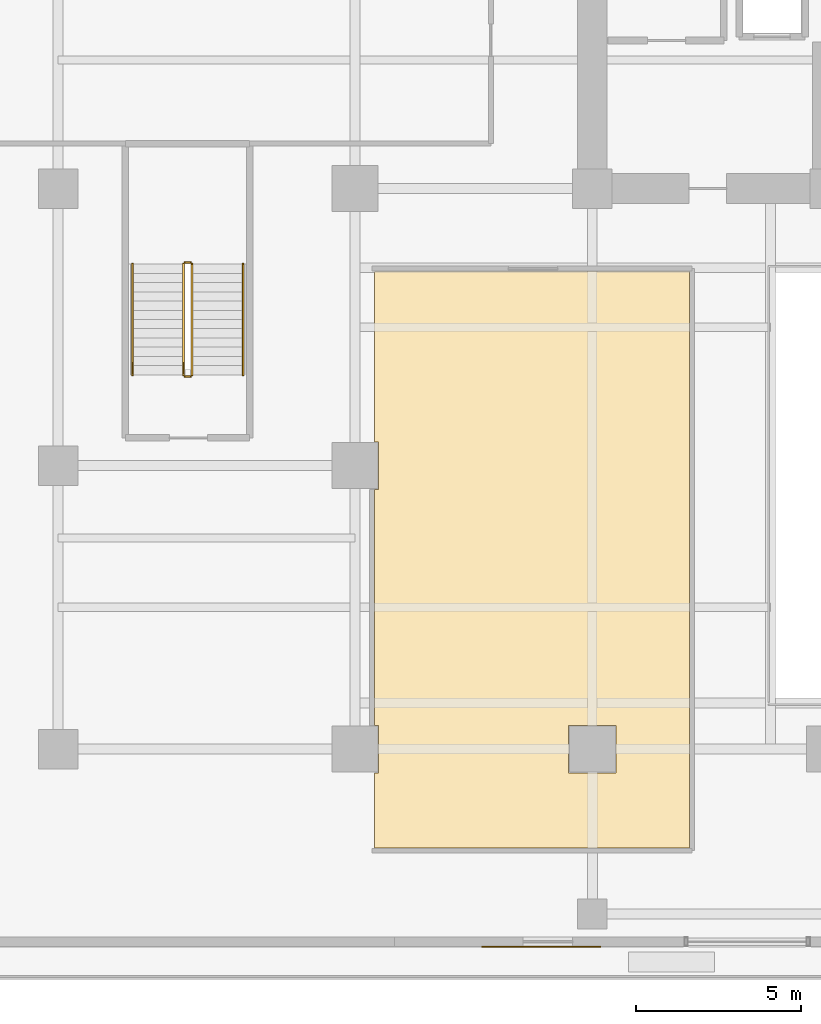
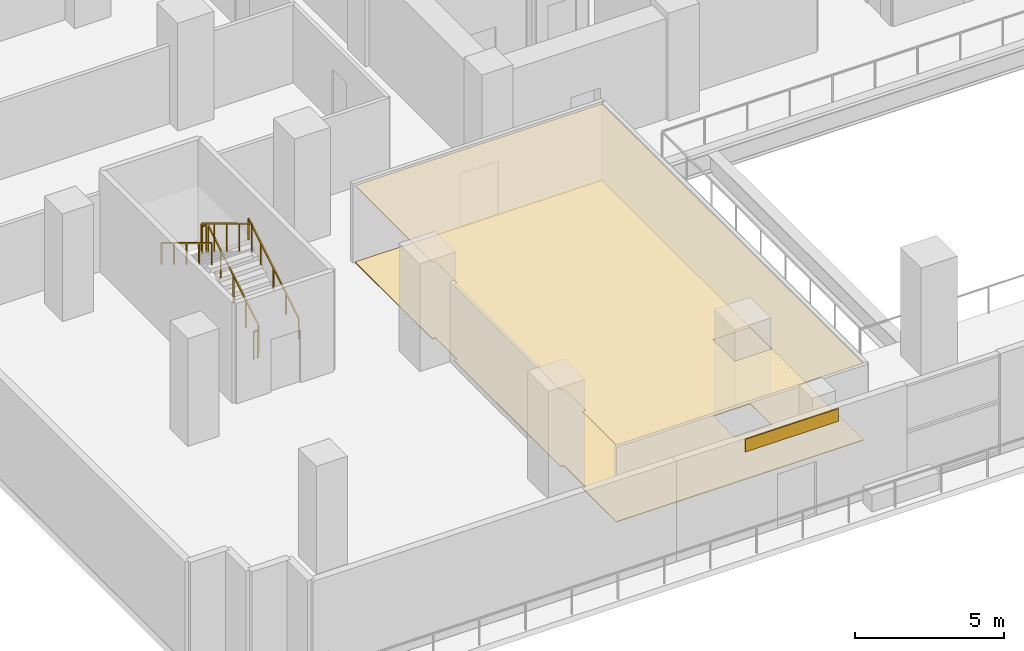
# One storey, part 16 of 22: 6 railings, 3 coverings.
"""IFC4 building model written with IfcOpenShell, lengths in metres."""

from ifc_helpers import new_model, si_unit, direction, frame, origin, origin_2d, place, context, subcontext, project, spatial, polyline, rectangle, outline, extrude, source, transform, mapped, material, layer, layer_set, type_object, element, save


model = new_model("IFC4")

# Units and contexts
model_context = context("Model", 3, precision=1e-05, world=origin(), true_north=direction((0.0, 1.0)))
body_context = subcontext(model_context, "Body", "Model", "MODEL_VIEW")
ifc_project = project(units=[si_unit("LENGTHUNIT", "METRE"), si_unit("AREAUNIT", "SQUARE_METRE"), si_unit("VOLUMEUNIT", "CUBIC_METRE"), si_unit("PLANEANGLEUNIT", "RADIAN"), si_unit("MASSUNIT", "GRAM", prefix="KILO")], contexts=[model_context])

# Site, building, storey
site_placement = place(None, origin())
site = spatial("IfcSite", under=ifc_project, at=site_placement, CompositionType="ELEMENT")
building_placement = place(site_placement, origin())
building = spatial("IfcBuilding", under=site, at=building_placement, Name="Zarnakvel Exchange Tower", CompositionType="ELEMENT")
storey_placement = place(building_placement, frame((0.0, 0.0, 9.39990234375)))
storey = spatial("IfcBuildingStorey", under=building, at=storey_placement, Name="L02", CompositionType="ELEMENT", Elevation=9.39990234375)

# Coverings
ifc_material_1 = material(Name="Perforated Bronze Acoustic Metal Ceiling", Category="aluminium")
ifc_layer_1 = layer(ifc_material_1, 0.02001953125)
ifc_layer_set_1 = layer_set([ifc_layer_1], Name="Perforated Bronze Acoustic Metal Ceiling")
covering_type_1 = type_object("IfcCoveringType", Name="CLG-01", PredefinedType="CEILING", material=ifc_layer_set_1)
covering_1_placement = place(storey_placement, frame((0.0, 0.0, 3.130126953125)))
element("IfcCovering", 1, at=covering_1_placement, inside=storey, type_object=covering_type_1, Name="L02 Suspended Acoustic Ceiling (Financial Exhibition Hall)", PredefinedType="CEILING", context=body_context, shape_type="SweptSolid", body=[
    extrude(outline(polyline([(-11.4599609375, -3.7099609375), (-11.4599609375, -21.199951171875), (-21.0, -21.199951171875), (-21.0, -18.919921875), (-20.8798828125, -18.919921875), (-20.8798828125, -17.47998046875), (-21.0, -17.47998046875), (-21.0, -10.320068359375), (-20.8798828125, -10.320068359375), (-20.8798828125, -8.8798828125), (-21.0, -8.8798828125), (-21.0, -3.7099609375), (-11.4599609375, -3.7099609375)]), holes=[polyline([(-13.679931640625, -18.919921875), (-13.679931640625, -17.47998046875), (-15.1201171875, -17.47998046875), (-15.1201171875, -18.919921875), (-13.679931640625, -18.919921875)])]), origin(), (0.0, 0.0, 1.0), 0.02001953125),
])
ifc_material_2 = material(Name="Honed Limestone & Turquoise Inlay Stone", Category="masonry")
ifc_layer_2 = layer(ifc_material_2, 0.030029296875)
ifc_layer_set_2 = layer_set([ifc_layer_2], Name="Honed Limestone & Turquoise Inlay Stone")
covering_type_2 = type_object("IfcCoveringType", Name="FLR-01", PredefinedType="FLOORING", material=ifc_layer_set_2)
covering_2_placement = place(storey_placement, origin())
element("IfcCovering", 2, at=covering_2_placement, inside=storey, type_object=covering_type_2, Name="L02 Floor Finish (Financial Exhibition Hall)", PredefinedType="FLOORING", context=body_context, shape_type="SweptSolid", body=[
    extrude(outline(polyline([(-11.4599609375, -3.7099609375), (-11.4599609375, -21.199951171875), (-21.0, -21.199951171875), (-21.0, -18.919921875), (-20.8798828125, -18.919921875), (-20.8798828125, -17.47998046875), (-21.0, -17.47998046875), (-21.0, -10.320068359375), (-20.8798828125, -10.320068359375), (-20.8798828125, -8.8798828125), (-21.0, -8.8798828125), (-21.0, -3.7099609375), (-11.4599609375, -3.7099609375)]), holes=[polyline([(-13.679931640625, -18.919921875), (-13.679931640625, -17.47998046875), (-15.1201171875, -17.47998046875), (-15.1201171875, -18.919921875), (-13.679931640625, -18.919921875)])]), origin(), (0.0, 0.0, 1.0), 0.030029296875),
])

# Railings
ifc_material_3 = material(Name="Brushed Stainless Steel", Category="steel")
railing_type_1 = type_object("IfcRailingType", Name="HR-01", PredefinedType="HANDRAIL", material=ifc_material_3)
railing_1_placement = place(storey_placement, frame((-24.989990234375, -6.85009765625, 0.16943359375)))
element("IfcRailing", 3, at=railing_1_placement, inside=storey, type_object=railing_type_1, Name="L02 ST-03 stair handrail 1", PredefinedType="HANDRAIL", context=body_context, shape_type="SweptSolid", body=[
    extrude(rectangle(XDim=0.048095703125, YDim=0.048095703125, at=origin_2d()), frame((0.0, 0.0, 0.8759765625), z_axis=(0.0, 0.855836976705, 0.517245656632), x_axis=(-1.0, 0.0, 0.0)), (0.0, 0.0, 1.0), 3.926025390625),
    extrude(rectangle(XDim=0.0419921875, YDim=0.0419921875, at=origin_2d()), origin(), (0.0, 0.0, 1.0), 0.851806640625),
    extrude(rectangle(XDim=0.0419921875, YDim=0.0419921875, at=origin_2d()), frame((0.0, 0.840087890625, 0.5078125)), (0.0, 0.0, 1.0), 0.851806640625),
    extrude(rectangle(XDim=0.0419921875, YDim=0.0419921875, at=origin_2d()), frame((0.0, 1.68017578125, 1.015380859375)), (0.0, 0.0, 1.0), 0.851806640625),
    extrude(rectangle(XDim=0.0419921875, YDim=0.0419921875, at=origin_2d()), frame((0.0, 2.52001953125, 1.52294921875)), (0.0, 0.0, 1.0), 0.851806640625),
    extrude(rectangle(XDim=0.0419921875, YDim=0.0419921875, at=origin_2d()), frame((0.0, 3.360107421875, 2.03076171875)), (0.0, 0.0, 1.0), 0.851806640625),
])
railing_2_placement = place(storey_placement, frame((-28.35009765625, -3.489990234375, 2.369384765625)))
element("IfcRailing", 4, at=railing_2_placement, inside=storey, type_object=railing_type_1, Name="L02 ST-03 stair handrail 2", PredefinedType="HANDRAIL", context=body_context, shape_type="SweptSolid", body=[
    extrude(rectangle(XDim=0.048095703125, YDim=0.048095703125, at=origin_2d()), frame((0.0, 0.0, 0.8759765625), z_axis=(0.0, -0.855836976705, 0.517245656632), x_axis=(1.0, 0.0, 0.0)), (0.0, 0.0, 1.0), 3.926025390625),
    extrude(rectangle(XDim=0.0419921875, YDim=0.0419921875, at=origin_2d()), origin(), (0.0, 0.0, 1.0), 0.851806640625),
    extrude(rectangle(XDim=0.0419921875, YDim=0.0419921875, at=origin_2d()), frame((0.0, -0.840087890625, 0.5078125)), (0.0, 0.0, 1.0), 0.851806640625),
    extrude(rectangle(XDim=0.0419921875, YDim=0.0419921875, at=origin_2d()), frame((0.0, -1.68017578125, 1.015380859375)), (0.0, 0.0, 1.0), 0.851806640625),
    extrude(rectangle(XDim=0.0419921875, YDim=0.0419921875, at=origin_2d()), frame((0.0, -2.52001953125, 1.52294921875)), (0.0, 0.0, 1.0), 0.851806640625),
    extrude(rectangle(XDim=0.0419921875, YDim=0.0419921875, at=origin_2d()), frame((0.0, -3.360107421875, 2.03076171875)), (0.0, 0.0, 1.0), 0.851806640625),
])
ifc_material_4 = material(Name="Architectural Bronze Anodised Aluminium", Category="aluminium")
railing_type_2 = type_object("IfcRailingType", Name="SG-01", PredefinedType="GUARDRAIL", material=ifc_material_4)
railing_3_placement = place(storey_placement, frame((-26.5400390625, -6.85009765625, 0.16943359375)))
element("IfcRailing", 5, at=railing_3_placement, inside=storey, type_object=railing_type_2, Name="L02 ST-03 stair guard 1", PredefinedType="GUARDRAIL", context=body_context, shape_type="SweptSolid", body=[
    extrude(rectangle(XDim=0.048095703125, YDim=0.048095703125, at=origin_2d()), frame((0.0, 0.0, 1.1259765625), z_axis=(0.0, 0.855836976705, 0.517245656632), x_axis=(-1.0, 0.0, 0.0)), (0.0, 0.0, 1.0), 3.926025390625),
    extrude(rectangle(XDim=0.0419921875, YDim=0.0419921875, at=origin_2d()), origin(), (0.0, 0.0, 1.0), 1.101806640625),
    extrude(rectangle(XDim=0.0419921875, YDim=0.0419921875, at=origin_2d()), frame((0.0, 0.840087890625, 0.5078125)), (0.0, 0.0, 1.0), 1.101806640625),
    extrude(rectangle(XDim=0.0419921875, YDim=0.0419921875, at=origin_2d()), frame((0.0, 1.68017578125, 1.015380859375)), (0.0, 0.0, 1.0), 1.101806640625),
    extrude(rectangle(XDim=0.0419921875, YDim=0.0419921875, at=origin_2d()), frame((0.0, 2.52001953125, 1.52294921875)), (0.0, 0.0, 1.0), 1.101806640625),
    extrude(rectangle(XDim=0.0419921875, YDim=0.0419921875, at=origin_2d()), frame((0.0, 3.360107421875, 2.03076171875)), (0.0, 0.0, 1.0), 1.101806640625),
])
railing_4_placement = place(storey_placement, frame((-26.590087890625, -3.43994140625, 2.2001953125)))
element("IfcRailing", 6, at=railing_4_placement, inside=storey, type_object=railing_type_2, Name="L02 ST-03 stair guard 2", PredefinedType="GUARDRAIL", context=body_context, shape_type="SweptSolid", body=[
    extrude(rectangle(XDim=0.048095703125, YDim=0.048095703125, at=origin_2d()), frame((0.0, 0.0, 1.1259765625), z_axis=(-1.0, 0.0, 0.0), x_axis=(0.0, -1.0, 0.0)), (0.0, 0.0, 1.0), 0.159912109375),
    extrude(rectangle(XDim=0.0419921875, YDim=0.0419921875, at=origin_2d()), origin(), (0.0, 0.0, 1.0), 1.101806640625),
    extrude(rectangle(XDim=0.0419921875, YDim=0.0419921875, at=origin_2d()), frame((-0.159912109375, 0.0, 0.0)), (0.0, 0.0, 1.0), 1.101806640625),
])
railing_5_placement = place(storey_placement, frame((-26.800048828125, -3.489990234375, 2.369384765625)))
element("IfcRailing", 7, at=railing_5_placement, inside=storey, type_object=railing_type_2, Name="L02 ST-03 stair guard 3", PredefinedType="GUARDRAIL", context=body_context, shape_type="SweptSolid", body=[
    extrude(rectangle(XDim=0.048095703125, YDim=0.048095703125, at=origin_2d()), frame((0.0, 0.0, 1.1259765625), z_axis=(0.0, -0.855836976705, 0.517245656632), x_axis=(1.0, 0.0, 0.0)), (0.0, 0.0, 1.0), 3.926025390625),
    extrude(rectangle(XDim=0.0419921875, YDim=0.0419921875, at=origin_2d()), origin(), (0.0, 0.0, 1.0), 1.101806640625),
    extrude(rectangle(XDim=0.0419921875, YDim=0.0419921875, at=origin_2d()), frame((0.0, -0.840087890625, 0.5078125)), (0.0, 0.0, 1.0), 1.101806640625),
    extrude(rectangle(XDim=0.0419921875, YDim=0.0419921875, at=origin_2d()), frame((0.0, -1.68017578125, 1.015380859375)), (0.0, 0.0, 1.0), 1.101806640625),
    extrude(rectangle(XDim=0.0419921875, YDim=0.0419921875, at=origin_2d()), frame((0.0, -2.52001953125, 1.52294921875)), (0.0, 0.0, 1.0), 1.101806640625),
    extrude(rectangle(XDim=0.0419921875, YDim=0.0419921875, at=origin_2d()), frame((0.0, -3.360107421875, 2.03076171875)), (0.0, 0.0, 1.0), 1.101806640625),
])
railing_6_placement = place(storey_placement, frame((-26.590087890625, -6.89990234375, 0.0)))
element("IfcRailing", 8, at=railing_6_placement, inside=storey, type_object=railing_type_2, Name="L02 ST-03 stair guard 4", PredefinedType="GUARDRAIL", context=body_context, shape_type="SweptSolid", body=[
    extrude(rectangle(XDim=0.048095703125, YDim=0.048095703125, at=origin_2d()), frame((0.0, 0.0, 1.1259765625), z_axis=(-1.0, 0.0, 0.0), x_axis=(0.0, -1.0, 0.0)), (0.0, 0.0, 1.0), 0.159912109375),
    extrude(rectangle(XDim=0.0419921875, YDim=0.0419921875, at=origin_2d()), origin(), (0.0, 0.0, 1.0), 1.101806640625),
    extrude(rectangle(XDim=0.0419921875, YDim=0.0419921875, at=origin_2d()), frame((-0.159912109375, 0.0, 0.0)), (0.0, 0.0, 1.0), 1.101806640625),
])

# Covering
ifc_material_5 = material(Name="Warm Sandstone Terracotta Spandrel Tile", Category="masonry")
ifc_layer_3 = layer(ifc_material_5, 0.031982421875)
ifc_layer_set_3 = layer_set([ifc_layer_3], Name="Warm Sandstone Terracotta Spandrel Tile")
covering_type_3 = type_object("IfcCoveringType", Name="CL-02", PredefinedType="CLADDING", material=ifc_layer_set_3)
shared_shape = source(origin(), body_context, "Body", "SweptSolid", [
    extrude(rectangle(XDim=3.60009765625, YDim=0.031982421875, at=origin_2d()), origin(), (0.0, 0.0, 1.0), 0.52001953125),
])
covering_3_placement = place(storey_placement, frame((-15.952392578125, -24.194091796875, 3.56005859375), z_axis=(0.0, 0.0, 1.0), x_axis=(-1.0, 0.0, 0.0)))
element("IfcCovering", 9, at=covering_3_placement, inside=storey, type_object=covering_type_3, Name="L02 Ceramic Spandrel Tilework CL-02", PredefinedType="CLADDING", context=body_context, shape_type="MappedRepresentation", body=[
    mapped(shared_shape, transform((0.0, 0.0, 0.0), x_axis=(1.0, 0.0, 0.0), y_axis=(0.0, 1.0, 0.0), z_axis=(0.0, 0.0, 1.0), scale=1.0)),
])

save(model, "model.ifc")
